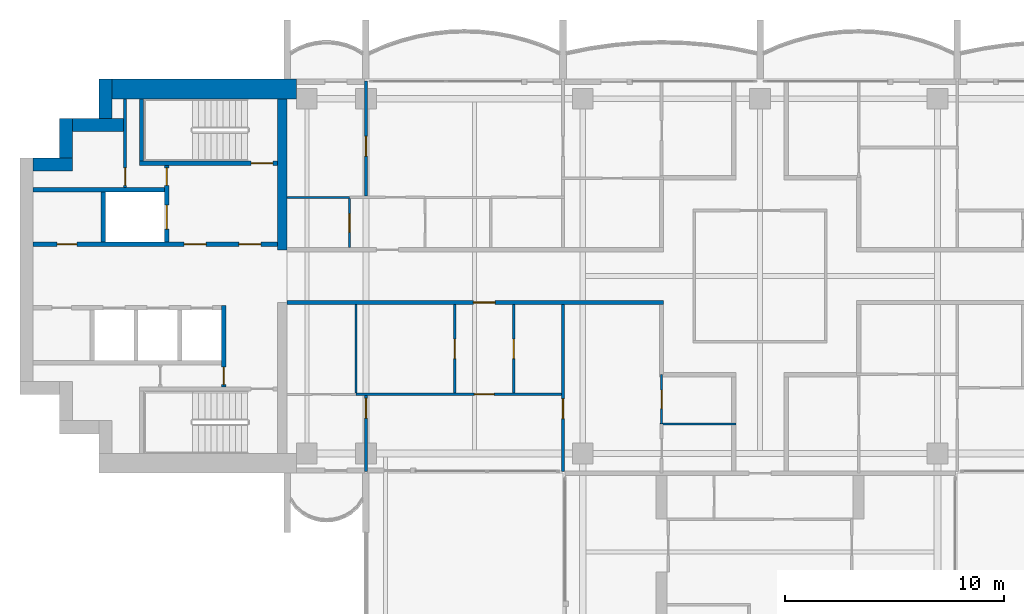
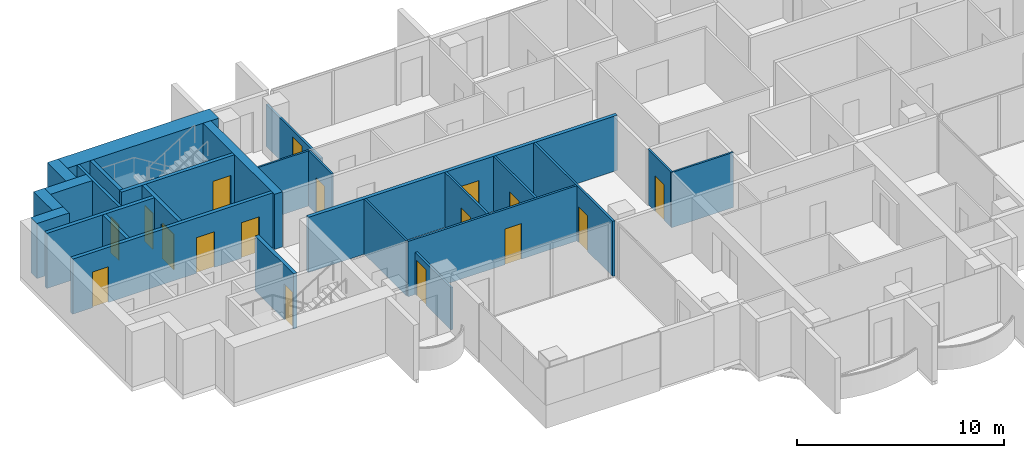
# One storey, part 9 of 17: 26 walls, 17 doors, 17 openings.
"""IFC4 building model written with IfcOpenShell, lengths in metres."""

import ifcopenshell
import ifcopenshell.guid

model = None  # the IFC model being written
_history = None  # IfcOwnerHistory: only IFC2X3 demands one
_inside = {}  # id of a spatial element -> (the spatial element, [elements in it])
_under = {}  # id of a project, library or spatial element -> (it, [spatial elements below it])
_declared = {}  # id of a project -> (the project, [libraries it declares])
_typed = {}  # id of a type object -> (the type object, [elements of that type])
_made_of = {}  # id of a material, layer set ... -> (it, [elements and type objects made of it])


def new_model(schema):
    """Start an empty IFC model of exactly this schema.

    Asked for "IFC4X3", IfcOpenShell would pick the latest addendum, in which some entities
    have other attributes; the version numbers below select the first issue.
    IFC2X3 requires an IfcOwnerHistory on every rooted entity: one is made here for all.
    """
    global model, _history
    if schema == "IFC4X3":
        model = ifcopenshell.file(schema_version=(4, 3, 0, 0))
    else:
        model = ifcopenshell.file(schema=schema)
    _inside.clear()
    _under.clear()
    _declared.clear()
    _typed.clear()
    _made_of.clear()
    _history = None
    if model.schema == "IFC2X3":
        org = make("IfcOrganization", Name="unknown")
        user = make(
            "IfcPersonAndOrganization",
            ThePerson=make("IfcPerson", FamilyName="unknown"),
            TheOrganization=org,
        )
        app = make(
            "IfcApplication",
            ApplicationDeveloper=org,
            Version="unknown",
            ApplicationFullName="unknown",
            ApplicationIdentifier="unknown",
        )
        _history = make(
            "IfcOwnerHistory",
            OwningUser=user,
            OwningApplication=app,
            ChangeAction="ADDED",
            CreationDate=0,
        )
    return model


def make(cls, **values):
    """One entity of the class cls with the attributes given. An attribute that is None is left unset."""
    return model.create_entity(
        cls, **{name: value for name, value in values.items() if value is not None}
    )


def rooted(cls, **values):
    """An entity with a GlobalId (a new one), such as an element, a storey or a relation."""
    return make(cls, GlobalId=ifcopenshell.guid.new(), OwnerHistory=_history, **values)


def si_unit(unit_type, name, prefix=None):
    """IfcSIUnit, for example si_unit("LENGTHUNIT", "METRE", prefix="MILLI")."""
    return make("IfcSIUnit", UnitType=unit_type, Prefix=prefix, Name=name)


def assignment(units):
    """IfcUnitAssignment: the units of a project."""
    return None if units is None else make("IfcUnitAssignment", Units=units)


def point(xyz):
    """IfcCartesianPoint."""
    return None if xyz is None else make("IfcCartesianPoint", Coordinates=xyz)


def direction(xyz):
    """IfcDirection."""
    return None if xyz is None else make("IfcDirection", DirectionRatios=xyz)


def frame(location, z_axis=None, x_axis=None):
    """IfcAxis2Placement3D, a coordinate frame: its origin and axes. An axis left out is left unset."""
    return make(
        "IfcAxis2Placement3D",
        Location=point(location),
        Axis=direction(z_axis),
        RefDirection=direction(x_axis),
    )


def frame_2d(location, x_axis=None):
    """IfcAxis2Placement2D, a coordinate frame in the plane: its origin and x axis."""
    return make(
        "IfcAxis2Placement2D", Location=point(location), RefDirection=direction(x_axis)
    )


def origin():
    """The frame at (0, 0, 0) with its axes left unset."""
    return frame((0.0, 0.0, 0.0))


def place(relative_to, where):
    """IfcLocalPlacement: puts the frame where relative to a parent placement (None: the world)."""
    return make(
        "IfcLocalPlacement", PlacementRelTo=relative_to, RelativePlacement=where
    )


def context(
    kind, dimensions, precision=None, world=None, true_north=None, identifier=None
):
    """IfcGeometricRepresentationContext, for example the 3D "Model" context."""
    return make(
        "IfcGeometricRepresentationContext",
        ContextIdentifier=identifier,
        ContextType=kind,
        CoordinateSpaceDimension=dimensions,
        Precision=precision,
        WorldCoordinateSystem=world,
        TrueNorth=true_north,
    )


def subcontext(parent, identifier, kind, view, scale=None):
    """IfcGeometricRepresentationSubContext, for example "Body" below "Model"."""
    return make(
        "IfcGeometricRepresentationSubContext",
        ContextIdentifier=identifier,
        ContextType=kind,
        ParentContext=parent,
        TargetScale=scale,
        TargetView=view,
    )


def project(units=None, contexts=None):
    """IfcProject with its units and contexts."""
    return rooted(
        "IfcProject",
        Name="project",
        RepresentationContexts=contexts,
        UnitsInContext=assignment(units),
    )


def spatial(cls, under=None, at=None, **own):
    """A site, building, storey or space (cls), placed at a placement, below another one or the project."""
    s = rooted(cls, ObjectPlacement=at, **own)
    if under is not None:
        _under.setdefault(under.id(), (under, []))[1].append(s)
    return s


def profile(cls, at=None, kind="AREA", **sizes):
    """A parametric profile (cls). Its sizes go by their IFC names, for example OverallWidth=200.0."""
    return make(cls, ProfileType=kind, Position=at, **sizes)


def rectangle(**sizes):
    """IfcRectangleProfileDef."""
    return profile("IfcRectangleProfileDef", **sizes)


def extrude(swept, where, along, depth):
    """IfcExtrudedAreaSolid: the profile swept, set in the frame where, extruded along a direction by depth."""
    return make(
        "IfcExtrudedAreaSolid",
        SweptArea=swept,
        Position=where,
        ExtrudedDirection=direction(along),
        Depth=depth,
    )


def shape(context_of_items, identifier, shape_type, items):
    """IfcShapeRepresentation: the items that make up one representation, for example the "Body"."""
    return make(
        "IfcShapeRepresentation",
        ContextOfItems=context_of_items,
        RepresentationIdentifier=identifier,
        RepresentationType=shape_type,
        Items=items,
    )


def material(Name=None, Category=None):
    """IfcMaterial."""
    return make("IfcMaterial", Name=Name, Category=Category)


def layer(
    of_material, thickness, ventilated=None, Name=None, Category=None, Priority=None
):
    """IfcMaterialLayer: one layer of a wall or slab, of a material (None: an air gap)."""
    return make(
        "IfcMaterialLayer",
        Material=of_material,
        LayerThickness=thickness,
        IsVentilated=ventilated,
        Name=Name,
        Category=Category,
        Priority=Priority,
    )


def layer_set(layers, Name=None):
    """IfcMaterialLayerSet."""
    return make("IfcMaterialLayerSet", MaterialLayers=layers, LayerSetName=Name)


def made_of(thing, what):
    """Note that an element or type object is made of a material, layer set ...; save() writes the relation."""
    if what is not None:
        _made_of.setdefault(what.id(), (what, []))[1].append(thing)
    return thing


def type_object(cls, material=None, **own):
    """A type object (cls), such as IfcWallType, which elements share."""
    return made_of(rooted(cls, **own), material)


def element(
    cls,
    number,
    at=None,
    inside=None,
    cuts=None,
    type_object=None,
    material=None,
    context=None,
    identifier="Body",
    shape_type=None,
    held_by="IfcProductDefinitionShape",
    body=None,
    shapes=None,
    **own,
):
    """One element of the class cls, such as IfcWall. Its Tag is "e" and its number.

    at: its placement. inside: the storey or other place that contains it. cuts: it is an
    opening in that element (IfcRelVoidsElement). A single representation is given by context,
    identifier, shape_type and body (its items); several are given by shapes. held_by: the class
    of the entity that holds the representations. save() writes the other relations.
    """
    e = rooted(cls, Tag="e%d" % number, ObjectPlacement=at, **own)
    if body is not None:
        shapes = [shape(context, identifier, shape_type, body)]
    if shapes is not None:
        e.Representation = make(held_by, Representations=shapes)
    if inside is not None:
        _inside.setdefault(inside.id(), (inside, []))[1].append(e)
    if cuts is not None:
        rooted(
            "IfcRelVoidsElement", RelatingBuildingElement=cuts, RelatedOpeningElement=e
        )
    if type_object is not None:
        _typed.setdefault(type_object.id(), (type_object, []))[1].append(e)
    return made_of(e, material)


def fill(opening, filler):
    """IfcRelFillsElement: the door or window that sits in an opening."""
    return rooted(
        "IfcRelFillsElement",
        RelatingOpeningElement=opening,
        RelatedBuildingElement=filler,
    )


def aggregate(whole, parts):
    """IfcRelAggregates: a whole, such as a stair, and the parts it consists of."""
    return rooted("IfcRelAggregates", RelatingObject=whole, RelatedObjects=parts)


def save(model, path):
    """Write the relations noted so far, then the file.

    IfcRelAggregates (storeys below a building ...), IfcRelContainedInSpatialStructure (elements
    in a storey), IfcRelDefinesByType, IfcRelAssociatesMaterial and IfcRelDeclares: one each for
    every whole, place, type object, material and project.
    """
    for whole, parts in _under.values():
        aggregate(whole, parts)
    for where, things in _inside.values():
        rooted(
            "IfcRelContainedInSpatialStructure",
            RelatedElements=things,
            RelatingStructure=where,
        )
    for kind, things in _typed.values():
        rooted("IfcRelDefinesByType", RelatedObjects=things, RelatingType=kind)
    for what, things in _made_of.values():
        rooted("IfcRelAssociatesMaterial", RelatedObjects=things, RelatingMaterial=what)
    for by, libraries in _declared.values():
        rooted("IfcRelDeclares", RelatingContext=by, RelatedDefinitions=libraries)
    model.write(path)


model = new_model("IFC4")

# Units and contexts
model_context = context("Model", 3, precision=1e-05, world=origin(), true_north=direction((0.0, 1.0)))
body_context = subcontext(model_context, "Body", "Model", "MODEL_VIEW")
ifc_project = project(units=[si_unit("LENGTHUNIT", "METRE"), si_unit("AREAUNIT", "SQUARE_METRE"), si_unit("VOLUMEUNIT", "CUBIC_METRE"), si_unit("PLANEANGLEUNIT", "RADIAN"), si_unit("MASSUNIT", "GRAM", prefix="KILO")], contexts=[model_context])

# Site, building, storey
site_placement = place(None, origin())
site = spatial("IfcSite", under=ifc_project, at=site_placement, CompositionType="ELEMENT")
building_placement = place(site_placement, origin())
building = spatial("IfcBuilding", under=site, at=building_placement, Name="Perihelion Cross Residences", CompositionType="ELEMENT")
storey_placement = place(building_placement, frame((0.0, 0.0, 212.10009765625)))
storey = spatial("IfcBuildingStorey", under=building, at=storey_placement, Name="L53", CompositionType="ELEMENT", Elevation=212.10009765625)

# Wall, opening, door
ifc_material_1 = material(Name="Plasterboard partition")
ifc_layer_1 = layer(ifc_material_1, 0.199951171875)
ifc_layer_set_1 = layer_set([ifc_layer_1], Name="Apartment separation wall 200")
wall_type_1 = type_object("IfcWallType", Name="Apartment separation wall 200", PredefinedType="PARTITIONING", material=ifc_layer_set_1)
wall_1_placement = place(storey_placement, frame((-4.39990234375, -1.199951171875, 0.0), z_axis=(0.0, 0.0, 1.0), x_axis=(-1.0, 0.0, 0.0)))
wall_1 = element("IfcWall", 1, at=wall_1_placement, inside=storey, type_object=wall_type_1, Name="Partition L53 W017", PredefinedType="PARTITIONING", context=body_context, shape_type="SweptSolid", body=[
    extrude(rectangle(XDim=17.2001953125, YDim=0.199951171875, at=frame_2d((8.60009765625, 0.0))), origin(), (0.0, 0.0, 1.0), 3.25),
])
opening_1_placement = place(wall_1_placement, frame((7.699951171875, 0.0, 0.0)))
opening_1 = element("IfcOpeningElement", 2, at=opening_1_placement, cuts=wall_1, Name="Opening L53.A44", PredefinedType="OPENING", context=body_context, shape_type="SweptSolid", body=[
    extrude(rectangle(XDim=1.0, YDim=2.10009765625, at=frame_2d((0.5, 1.050048828125))), frame((0.0, 0.10986328125, 0.0), z_axis=(0.0, -1.0, 0.0), x_axis=(1.0, 0.0, 0.0)), (0.0, 0.0, 1.0), 0.219970703125),
])
ifc_material_2 = material(Name="Timber door leaf", Category="wood")
door_type_1 = type_object("IfcDoorType", Name="Flat entrance door 1000 x 2100", OperationType="SINGLE_SWING_LEFT", PredefinedType="DOOR", material=ifc_material_2)
door_1_placement = place(opening_1_placement, origin())
door_1 = element("IfcDoor", 3, at=door_1_placement, inside=storey, type_object=door_type_1, Name="Door L53.A44", OperationType="SINGLE_SWING_LEFT", OverallHeight=2.10009765625, OverallWidth=1.0, PredefinedType="DOOR", context=body_context, shape_type="SweptSolid", body=[
    extrude(rectangle(XDim=1.0, YDim=2.10009765625, at=frame_2d((0.5, 1.050048828125))), frame((0.0, 0.02490234375, 0.0), z_axis=(0.0, -1.0, 0.0), x_axis=(1.0, 0.0, 0.0)), (0.0, 0.0, 1.0), 0.050048828125),
])
fill(opening_1, door_1)

# Walls
ifc_material_3 = material(Name="Concrete C60/75", Category="concrete")
ifc_layer_2 = layer(ifc_material_3, 0.449951171875)
ifc_layer_set_2 = layer_set([ifc_layer_2], Name="Core wall, inner 450")
wall_type_2 = type_object("IfcWallType", Name="Core wall, inner 450", PredefinedType="SHEAR", material=ifc_layer_set_2)
wall_2_placement = place(storey_placement, frame((-21.824951171875, 1.199951171875, 0.0), z_axis=(0.0, 0.0, 1.0), x_axis=(0.0, 1.0, 0.0)))
element("IfcWall", 4, at=wall_2_placement, inside=storey, type_object=wall_type_2, Name="West core core wall, inner", PredefinedType="SHEAR", context=body_context, shape_type="SweptSolid", body=[
    extrude(rectangle(XDim=6.900146484375, YDim=0.449951171875, at=frame_2d((3.4501953125, 0.0))), origin(), (0.0, 0.0, 1.0), 3.25),
])
ifc_material_4 = material(Name="Concrete C60/75", Category="concrete")
ifc_layer_3 = layer(ifc_material_4, 0.60009765625)
ifc_layer_set_3 = layer_set([ifc_layer_3], Name="Core wall, outer 600")
wall_type_3 = type_object("IfcWallType", Name="Core wall, outer 600", PredefinedType="SHEAR", material=ifc_layer_set_3)
for number, where, z_axis, x_axis, name in (
    (5, (-33.199951171875, 5.10009765625, 0.0), (0.0, 0.0, 1.0), (1.0, 0.0, 0.0), "West core core wall, outer"),
    (6, (-31.699951171875, 5.39990234375, 0.0), (0.0, 0.0, 1.0), (0.0, 1.0, 0.0), "West core core wall, outer"),
):
    element("IfcWall", number, at=place(storey_placement, frame(where, z_axis=z_axis, x_axis=x_axis)), inside=storey, type_object=wall_type_3, Name=name, PredefinedType="SHEAR", context=body_context, shape_type="SweptSolid", body=[
        extrude(rectangle(XDim=1.800048828125, YDim=0.60009765625, at=frame_2d((0.89990234375, 0.0))), origin(), (0.0, 0.0, 1.0), 3.25),
    ])
wall_3_placement = place(storey_placement, frame((-31.39990234375, 6.89990234375, 0.0), z_axis=(0.0, 0.0, 1.0), x_axis=(1.0, 0.0, 0.0)))
element("IfcWall", 7, at=wall_3_placement, inside=storey, type_object=wall_type_3, Name="West core core wall, outer", PredefinedType="SHEAR", context=body_context, shape_type="SweptSolid", body=[
    extrude(rectangle(XDim=2.324951171875, YDim=0.60009765625, at=frame_2d((1.16259765625, 0.0))), origin(), (0.0, 0.0, 1.0), 3.25),
])
wall_4_placement = place(storey_placement, frame((-29.89990234375, 7.199951171875, 0.0), z_axis=(0.0, 0.0, 1.0), x_axis=(0.0, 1.0, 0.0)))
element("IfcWall", 8, at=wall_4_placement, inside=storey, type_object=wall_type_3, Name="West core core wall, outer", PredefinedType="SHEAR", context=body_context, shape_type="SweptSolid", body=[
    extrude(rectangle(XDim=1.800048828125, YDim=0.60009765625, at=frame_2d((0.89990234375, 0.0))), origin(), (0.0, 0.0, 1.0), 3.25),
])
ifc_material_5 = material(Name="Concrete C60/75", Category="concrete")
ifc_layer_4 = layer(ifc_material_5, 0.89990234375)
ifc_layer_set_4 = layer_set([ifc_layer_4], Name="Core wall, outer 900")
wall_type_4 = type_object("IfcWallType", Name="Core wall, outer 900", PredefinedType="SHEAR", material=ifc_layer_set_4)
wall_5_placement = place(storey_placement, frame((-29.60009765625, 8.550048828125, 0.0), z_axis=(0.0, 0.0, 1.0), x_axis=(1.0, 0.0, 0.0)))
element("IfcWall", 9, at=wall_5_placement, inside=storey, type_object=wall_type_4, Name="West core core wall, outer", PredefinedType="SHEAR", context=body_context, shape_type="SweptSolid", body=[
    extrude(rectangle(XDim=8.425048828125, YDim=0.89990234375, at=frame_2d((4.21240234375, 0.0))), origin(), (0.0, 0.0, 1.0), 3.25),
])

# Wall, opening, door
ifc_material_6 = material(Name="Concrete C50/60", Category="concrete")
ifc_layer_5 = layer(ifc_material_6, 0.199951171875)
ifc_layer_set_5 = layer_set([ifc_layer_5], Name="Lobby wall 200")
wall_type_5 = type_object("IfcWallType", Name="Lobby wall 200", PredefinedType="SOLIDWALL", material=ifc_layer_set_5)
wall_6_placement = place(storey_placement, frame((-24.5, -5.050048828125, 0.0), z_axis=(0.0, 0.0, 1.0), x_axis=(0.0, 1.0, 0.0)))
wall_6 = element("IfcWall", 10, at=wall_6_placement, inside=storey, type_object=wall_type_5, Name="West core lobby wall", PredefinedType="SOLIDWALL", context=body_context, shape_type="SweptSolid", body=[
    extrude(rectangle(XDim=3.699951171875, YDim=0.199951171875, at=frame_2d((1.85009765625, 0.0))), origin(), (0.0, 0.0, 1.0), 3.25),
])
opening_2_placement = place(wall_6_placement, frame((0.10009765625, 0.0, 0.0)))
opening_2 = element("IfcOpeningElement", 11, at=opening_2_placement, cuts=wall_6, Name="Opening L53.C22", PredefinedType="OPENING", context=body_context, shape_type="SweptSolid", body=[
    extrude(rectangle(XDim=0.800048828125, YDim=2.10009765625, at=frame_2d((0.39990234375, 1.050048828125))), frame((0.0, 0.10986328125, 0.0), z_axis=(0.0, -1.0, 0.0), x_axis=(1.0, 0.0, 0.0)), (0.0, 0.0, 1.0), 0.219970703125),
])
ifc_material_7 = material(Name="Steel, powder coated", Category="steel")
door_type_2 = type_object("IfcDoorType", Name="Riser door 800", OperationType="SINGLE_SWING_LEFT", PredefinedType="DOOR", material=ifc_material_7)
door_2_placement = place(opening_2_placement, origin())
door_2 = element("IfcDoor", 12, at=door_2_placement, inside=storey, type_object=door_type_2, Name="West core riser door", OperationType="SINGLE_SWING_LEFT", OverallHeight=2.10009765625, OverallWidth=0.800048828125, PredefinedType="DOOR", context=body_context, shape_type="SweptSolid", body=[
    extrude(rectangle(XDim=0.800048828125, YDim=2.10009765625, at=frame_2d((0.39990234375, 1.050048828125))), frame((0.0, 0.02490234375, 0.0), z_axis=(0.0, -1.0, 0.0), x_axis=(1.0, 0.0, 0.0)), (0.0, 0.0, 1.0), 0.050048828125),
])
fill(opening_2, door_2)

ifc_material_8 = material(Name="Plasterboard partition")
ifc_layer_6 = layer(ifc_material_8, 0.1201171875)
ifc_layer_set_6 = layer_set([ifc_layer_6], Name="Partition wall 120")
wall_type_6 = type_object("IfcWallType", Name="Partition wall 120", PredefinedType="PARTITIONING", material=ifc_layer_set_6)
wall_7_placement = place(storey_placement, frame((-18.0, 3.659912109375, 0.0), z_axis=(0.0, 0.0, 1.0), x_axis=(0.0, 1.0, 0.0)))
wall_7 = element("IfcWall", 13, at=wall_7_placement, inside=storey, type_object=wall_type_6, Name="Partition L53 W050", PredefinedType="PARTITIONING", context=body_context, shape_type="SweptSolid", body=[
    extrude(rectangle(XDim=5.260009765625, YDim=0.1201171875, at=frame_2d((2.6298828125, 0.0))), origin(), (0.0, 0.0, 1.0), 2.47998046875),
])
opening_3_placement = place(wall_7_placement, frame((1.820068359375, 0.0, 0.0)))
opening_3 = element("IfcOpeningElement", 14, at=opening_3_placement, cuts=wall_7, Name="Opening L53.A20", PredefinedType="OPENING", context=body_context, shape_type="SweptSolid", body=[
    extrude(rectangle(XDim=0.89990234375, YDim=2.10009765625, at=frame_2d((0.449951171875, 1.050048828125))), frame((0.0, 0.070068359375, 0.0), z_axis=(0.0, -1.0, 0.0), x_axis=(1.0, 0.0, 0.0)), (0.0, 0.0, 1.0), 0.14013671875),
])
ifc_material_9 = material(Name="Timber door leaf", Category="wood")
door_type_3 = type_object("IfcDoorType", Name="Interior room door 900 x 2100", OperationType="SINGLE_SWING_LEFT", PredefinedType="DOOR", material=ifc_material_9)
door_3_placement = place(opening_3_placement, origin())
door_3 = element("IfcDoor", 15, at=door_3_placement, inside=storey, type_object=door_type_3, Name="Door L53.A20", OperationType="SINGLE_SWING_RIGHT", OverallHeight=2.10009765625, OverallWidth=0.89990234375, PredefinedType="DOOR", context=body_context, shape_type="SweptSolid", body=[
    extrude(rectangle(XDim=0.89990234375, YDim=2.10009765625, at=frame_2d((0.449951171875, 1.050048828125))), frame((0.0, 0.02490234375, 0.0), z_axis=(0.0, -1.0, 0.0), x_axis=(1.0, 0.0, 0.0)), (0.0, 0.0, 1.0), 0.050048828125),
])
fill(opening_3, door_3)

wall_8_placement = place(storey_placement, frame((-11.25, -5.340087890625, 0.0), z_axis=(0.0, 0.0, 1.0), x_axis=(0.0, 1.0, 0.0)))
wall_8 = element("IfcWall", 16, at=wall_8_placement, inside=storey, type_object=wall_type_6, Name="Partition L53 W053", PredefinedType="PARTITIONING", context=body_context, shape_type="SweptSolid", body=[
    extrude(rectangle(XDim=4.0400390625, YDim=0.1201171875, at=frame_2d((2.02001953125, 0.0))), origin(), (0.0, 0.0, 1.0), 3.25),
])
opening_4_placement = place(wall_8_placement, frame((1.570068359375, 0.0, 0.0)))
opening_4 = element("IfcOpeningElement", 17, at=opening_4_placement, cuts=wall_8, Name="Opening L53.A32", PredefinedType="OPENING", context=body_context, shape_type="SweptSolid", body=[
    extrude(rectangle(XDim=0.89990234375, YDim=2.10009765625, at=frame_2d((0.449951171875, 1.050048828125))), frame((0.0, 0.070068359375, 0.0), z_axis=(0.0, -1.0, 0.0), x_axis=(1.0, 0.0, 0.0)), (0.0, 0.0, 1.0), 0.14013671875),
])
door_4_placement = place(opening_4_placement, origin())
door_4 = element("IfcDoor", 18, at=door_4_placement, inside=storey, type_object=door_type_3, Name="Door L53.A32", OperationType="SINGLE_SWING_LEFT", OverallHeight=2.10009765625, OverallWidth=0.89990234375, PredefinedType="DOOR", context=body_context, shape_type="SweptSolid", body=[
    extrude(rectangle(XDim=0.89990234375, YDim=2.10009765625, at=frame_2d((0.449951171875, 1.050048828125))), frame((0.0, 0.02490234375, 0.0), z_axis=(0.0, -1.0, 0.0), x_axis=(1.0, 0.0, 0.0)), (0.0, 0.0, 1.0), 0.050048828125),
])
fill(opening_4, door_4)

wall_9_placement = place(storey_placement, frame((-8.93994140625, -5.39990234375, 0.0), z_axis=(0.0, 0.0, 1.0), x_axis=(-1.0, 0.0, 0.0)))
wall_9 = element("IfcWall", 19, at=wall_9_placement, inside=storey, type_object=wall_type_6, Name="Partition L53 W054", PredefinedType="PARTITIONING", context=body_context, shape_type="SweptSolid", body=[
    extrude(rectangle(XDim=9.510009765625, YDim=0.1201171875, at=frame_2d((4.7548828125, 0.0))), origin(), (0.0, 0.0, 1.0), 3.25),
])
opening_5_placement = place(wall_9_placement, frame((3.2099609375, 0.0, 0.0)))
opening_5 = element("IfcOpeningElement", 20, at=opening_5_placement, cuts=wall_9, Name="Opening L53.A29", PredefinedType="OPENING", context=body_context, shape_type="SweptSolid", body=[
    extrude(rectangle(XDim=0.89990234375, YDim=2.10009765625, at=frame_2d((0.449951171875, 1.050048828125))), frame((0.0, 0.070068359375, 0.0), z_axis=(0.0, -1.0, 0.0), x_axis=(1.0, 0.0, 0.0)), (0.0, 0.0, 1.0), 0.14013671875),
])
door_5_placement = place(opening_5_placement, origin())
door_5 = element("IfcDoor", 21, at=door_5_placement, inside=storey, type_object=door_type_3, Name="Door L53.A29", OperationType="SINGLE_SWING_LEFT", OverallHeight=2.10009765625, OverallWidth=0.89990234375, PredefinedType="DOOR", context=body_context, shape_type="SweptSolid", body=[
    extrude(rectangle(XDim=0.89990234375, YDim=2.10009765625, at=frame_2d((0.449951171875, 1.050048828125))), frame((0.0, 0.02490234375, 0.0), z_axis=(0.0, -1.0, 0.0), x_axis=(1.0, 0.0, 0.0)), (0.0, 0.0, 1.0), 0.050048828125),
])
fill(opening_5, door_5)

wall_10_placement = place(storey_placement, frame((-9.0, -1.300048828125, 0.0), z_axis=(0.0, 0.0, 1.0), x_axis=(0.0, -1.0, 0.0)))
wall_10 = element("IfcWall", 22, at=wall_10_placement, inside=storey, type_object=wall_type_6, Name="Partition L53 W055", PredefinedType="PARTITIONING", context=body_context, shape_type="SweptSolid", body=[
    extrude(rectangle(XDim=7.619873046875, YDim=0.1201171875, at=frame_2d((3.81005859375, 0.0))), origin(), (0.0, 0.0, 1.0), 3.25),
])
opening_6_placement = place(wall_10_placement, frame((4.300048828125, 0.0, 0.0)))
opening_6 = element("IfcOpeningElement", 23, at=opening_6_placement, cuts=wall_10, Name="Opening L53.A30", PredefinedType="OPENING", context=body_context, shape_type="SweptSolid", body=[
    extrude(rectangle(XDim=0.89990234375, YDim=2.10009765625, at=frame_2d((0.449951171875, 1.050048828125))), frame((0.0, 0.070068359375, 0.0), z_axis=(0.0, -1.0, 0.0), x_axis=(1.0, 0.0, 0.0)), (0.0, 0.0, 1.0), 0.14013671875),
])
door_6_placement = place(opening_6_placement, origin())
door_6 = element("IfcDoor", 24, at=door_6_placement, inside=storey, type_object=door_type_3, Name="Door L53.A30", OperationType="SINGLE_SWING_RIGHT", OverallHeight=2.10009765625, OverallWidth=0.89990234375, PredefinedType="DOOR", context=body_context, shape_type="SweptSolid", body=[
    extrude(rectangle(XDim=0.89990234375, YDim=2.10009765625, at=frame_2d((0.449951171875, 1.050048828125))), frame((0.0, 0.02490234375, 0.0), z_axis=(0.0, -1.0, 0.0), x_axis=(1.0, 0.0, 0.0)), (0.0, 0.0, 1.0), 0.050048828125),
])
fill(opening_6, door_6)

wall_11_placement = place(storey_placement, frame((-13.949951171875, -5.340087890625, 0.0), z_axis=(0.0, 0.0, 1.0), x_axis=(0.0, 1.0, 0.0)))
wall_11 = element("IfcWall", 25, at=wall_11_placement, inside=storey, type_object=wall_type_6, Name="Partition L53 W056", PredefinedType="PARTITIONING", context=body_context, shape_type="SweptSolid", body=[
    extrude(rectangle(XDim=4.0400390625, YDim=0.1201171875, at=frame_2d((2.02001953125, 0.0))), origin(), (0.0, 0.0, 1.0), 3.25),
])
opening_7_placement = place(wall_11_placement, frame((1.570068359375, 0.0, 0.0)))
opening_7 = element("IfcOpeningElement", 26, at=opening_7_placement, cuts=wall_11, Name="Opening L53.A27", PredefinedType="OPENING", context=body_context, shape_type="SweptSolid", body=[
    extrude(rectangle(XDim=0.89990234375, YDim=2.10009765625, at=frame_2d((0.449951171875, 1.050048828125))), frame((0.0, 0.070068359375, 0.0), z_axis=(0.0, -1.0, 0.0), x_axis=(1.0, 0.0, 0.0)), (0.0, 0.0, 1.0), 0.14013671875),
])
door_7_placement = place(opening_7_placement, origin())
door_7 = element("IfcDoor", 27, at=door_7_placement, inside=storey, type_object=door_type_3, Name="Door L53.A27", OperationType="SINGLE_SWING_LEFT", OverallHeight=2.10009765625, OverallWidth=0.89990234375, PredefinedType="DOOR", context=body_context, shape_type="SweptSolid", body=[
    extrude(rectangle(XDim=0.89990234375, YDim=2.10009765625, at=frame_2d((0.449951171875, 1.050048828125))), frame((0.0, 0.02490234375, 0.0), z_axis=(0.0, -1.0, 0.0), x_axis=(1.0, 0.0, 0.0)), (0.0, 0.0, 1.0), 0.050048828125),
])
fill(opening_7, door_7)

wall_12_placement = place(storey_placement, frame((-18.0, -8.919921875, 0.0), z_axis=(0.0, 0.0, 1.0), x_axis=(0.0, 1.0, 0.0)))
wall_12 = element("IfcWall", 28, at=wall_12_placement, inside=storey, type_object=wall_type_6, Name="Partition L53 W059", PredefinedType="PARTITIONING", context=body_context, shape_type="SweptSolid", body=[
    extrude(rectangle(XDim=3.4599609375, YDim=0.1201171875, at=frame_2d((1.72998046875, 0.0))), origin(), (0.0, 0.0, 1.0), 2.47998046875),
])
opening_8_placement = place(wall_12_placement, frame((2.43994140625, 0.0, 0.0)))
opening_8 = element("IfcOpeningElement", 29, at=opening_8_placement, cuts=wall_12, Name="Opening L53.A31", PredefinedType="OPENING", context=body_context, shape_type="SweptSolid", body=[
    extrude(rectangle(XDim=0.89990234375, YDim=2.10009765625, at=frame_2d((0.449951171875, 1.050048828125))), frame((0.0, 0.070068359375, 0.0), z_axis=(0.0, -1.0, 0.0), x_axis=(1.0, 0.0, 0.0)), (0.0, 0.0, 1.0), 0.14013671875),
])
door_8_placement = place(opening_8_placement, origin())
door_8 = element("IfcDoor", 30, at=door_8_placement, inside=storey, type_object=door_type_3, Name="Door L53.A31", OperationType="SINGLE_SWING_RIGHT", OverallHeight=2.10009765625, OverallWidth=0.89990234375, PredefinedType="DOOR", context=body_context, shape_type="SweptSolid", body=[
    extrude(rectangle(XDim=0.89990234375, YDim=2.10009765625, at=frame_2d((0.449951171875, 1.050048828125))), frame((0.0, 0.02490234375, 0.0), z_axis=(0.0, -1.0, 0.0), x_axis=(1.0, 0.0, 0.0)), (0.0, 0.0, 1.0), 0.050048828125),
])
fill(opening_8, door_8)

ifc_material_10 = material(Name="Fire-rated board on steel stud", Category="steel")
ifc_layer_7 = layer(ifc_material_10, 0.14990234375)
ifc_layer_set_7 = layer_set([ifc_layer_7], Name="Riser wall 150")
wall_type_7 = type_object("IfcWallType", Name="Riser wall 150", PredefinedType="PARTITIONING", material=ifc_layer_set_7)
wall_13_placement = place(storey_placement, frame((-29.0, 4.050048828125, 0.0), z_axis=(0.0, 0.0, 1.0), x_axis=(0.0, 1.0, 0.0)))
wall_13 = element("IfcWall", 31, at=wall_13_placement, inside=storey, type_object=wall_type_7, Name="West core riser wall", PredefinedType="PARTITIONING", context=body_context, shape_type="SweptSolid", body=[
    extrude(rectangle(XDim=4.050048828125, YDim=0.14990234375, at=frame_2d((2.02490234375, 0.0))), origin(), (0.0, 0.0, 1.0), 3.25),
])
opening_9_placement = place(wall_13_placement, frame((0.10009765625, 0.0, 0.0)))
opening_9 = element("IfcOpeningElement", 32, at=opening_9_placement, cuts=wall_13, Name="Opening L53.C26", PredefinedType="OPENING", context=body_context, shape_type="SweptSolid", body=[
    extrude(rectangle(XDim=0.800048828125, YDim=2.10009765625, at=frame_2d((0.39990234375, 1.050048828125))), frame((0.0, 0.0849609375, 0.0), z_axis=(0.0, -1.0, 0.0), x_axis=(1.0, 0.0, 0.0)), (0.0, 0.0, 1.0), 0.169921875),
])
door_9_placement = place(opening_9_placement, origin())
door_9 = element("IfcDoor", 33, at=door_9_placement, inside=storey, type_object=door_type_2, Name="West core riser door", OperationType="SINGLE_SWING_LEFT", OverallHeight=2.10009765625, OverallWidth=0.800048828125, PredefinedType="DOOR", context=body_context, shape_type="SweptSolid", body=[
    extrude(rectangle(XDim=0.800048828125, YDim=2.10009765625, at=frame_2d((0.39990234375, 1.050048828125))), frame((0.0, 0.02490234375, 0.0), z_axis=(0.0, -1.0, 0.0), x_axis=(1.0, 0.0, 0.0)), (0.0, 0.0, 1.0), 0.050048828125),
])
fill(opening_9, door_9)

# Wall, openings, doors
ifc_material_11 = material(Name="Concrete C50/60", Category="concrete")
ifc_layer_8 = layer(ifc_material_11, 0.199951171875)
ifc_layer_set_8 = layer_set([ifc_layer_8], Name="Shaft wall 200")
wall_type_8 = type_object("IfcWallType", Name="Shaft wall 200", PredefinedType="SOLIDWALL", material=ifc_layer_set_8)
wall_14_placement = place(storey_placement, frame((-33.199951171875, 1.449951171875, 0.0), z_axis=(0.0, 0.0, 1.0), x_axis=(1.0, 0.0, 0.0)))
wall_14 = element("IfcWall", 34, at=wall_14_placement, inside=storey, type_object=wall_type_8, Name="West core shaft wall", PredefinedType="SOLIDWALL", context=body_context, shape_type="SweptSolid", body=[
    extrude(rectangle(XDim=11.14990234375, YDim=0.199951171875, at=frame_2d((5.574951171875, 0.0))), origin(), (0.0, 0.0, 1.0), 3.25),
])
opening_10_placement = place(wall_14_placement, frame((9.39990234375, 0.0, 0.0)))
opening_10 = element("IfcOpeningElement", 35, at=opening_10_placement, cuts=wall_14, Name="Opening L53.C21", PredefinedType="OPENING", context=body_context, shape_type="SweptSolid", body=[
    extrude(rectangle(XDim=1.0, YDim=2.10009765625, at=frame_2d((0.5, 1.050048828125))), frame((0.0, 0.10986328125, 0.0), z_axis=(0.0, -1.0, 0.0), x_axis=(1.0, 0.0, 0.0)), (0.0, 0.0, 1.0), 0.219970703125),
])
opening_11_placement = place(wall_14_placement, frame((6.89990234375, 0.0, 0.0)))
opening_11 = element("IfcOpeningElement", 36, at=opening_11_placement, cuts=wall_14, Name="Opening L53.C23", PredefinedType="OPENING", context=body_context, shape_type="SweptSolid", body=[
    extrude(rectangle(XDim=1.0, YDim=2.10009765625, at=frame_2d((0.5, 1.050048828125))), frame((0.0, 0.10986328125, 0.0), z_axis=(0.0, -1.0, 0.0), x_axis=(1.0, 0.0, 0.0)), (0.0, 0.0, 1.0), 0.219970703125),
])
opening_12_placement = place(wall_14_placement, frame((1.10009765625, 0.0, 0.0)))
opening_12 = element("IfcOpeningElement", 37, at=opening_12_placement, cuts=wall_14, Name="Opening L53.C27", PredefinedType="OPENING", context=body_context, shape_type="SweptSolid", body=[
    extrude(rectangle(XDim=0.89990234375, YDim=2.10009765625, at=frame_2d((0.449951171875, 1.050048828125))), frame((0.0, 0.10986328125, 0.0), z_axis=(0.0, -1.0, 0.0), x_axis=(1.0, 0.0, 0.0)), (0.0, 0.0, 1.0), 0.219970703125),
])
ifc_material_12 = material(Name="Steel, powder coated", Category="steel")
door_type_4 = type_object("IfcDoorType", Name="Lobby door 1000", OperationType="SINGLE_SWING_LEFT", PredefinedType="DOOR", material=ifc_material_12)
door_10_placement = place(opening_10_placement, origin())
door_10 = element("IfcDoor", 38, at=door_10_placement, inside=storey, type_object=door_type_4, Name="West core firefighting lobby door", OperationType="SINGLE_SWING_LEFT", OverallHeight=2.10009765625, OverallWidth=1.0, PredefinedType="DOOR", context=body_context, shape_type="SweptSolid", body=[
    extrude(rectangle(XDim=1.0, YDim=2.10009765625, at=frame_2d((0.5, 1.050048828125))), frame((0.0, 0.02490234375, 0.0), z_axis=(0.0, -1.0, 0.0), x_axis=(1.0, 0.0, 0.0)), (0.0, 0.0, 1.0), 0.050048828125),
])
fill(opening_10, door_10)
door_11_placement = place(opening_11_placement, origin())
door_11 = element("IfcDoor", 39, at=door_11_placement, inside=storey, type_object=door_type_4, Name="West core firefighting lobby door", OperationType="SINGLE_SWING_LEFT", OverallHeight=2.10009765625, OverallWidth=1.0, PredefinedType="DOOR", context=body_context, shape_type="SweptSolid", body=[
    extrude(rectangle(XDim=1.0, YDim=2.10009765625, at=frame_2d((0.5, 1.050048828125))), frame((0.0, 0.02490234375, 0.0), z_axis=(0.0, -1.0, 0.0), x_axis=(1.0, 0.0, 0.0)), (0.0, 0.0, 1.0), 0.050048828125),
])
fill(opening_11, door_11)
ifc_material_13 = material(Name="Steel, powder coated", Category="steel")
door_type_5 = type_object("IfcDoorType", Name="Service room door 900", OperationType="SINGLE_SWING_LEFT", PredefinedType="DOOR", material=ifc_material_13)
door_12_placement = place(opening_12_placement, origin())
door_12 = element("IfcDoor", 40, at=door_12_placement, inside=storey, type_object=door_type_5, Name="West core service room door", OperationType="SINGLE_SWING_LEFT", OverallHeight=2.10009765625, OverallWidth=0.89990234375, PredefinedType="DOOR", context=body_context, shape_type="SweptSolid", body=[
    extrude(rectangle(XDim=0.89990234375, YDim=2.10009765625, at=frame_2d((0.449951171875, 1.050048828125))), frame((0.0, 0.02490234375, 0.0), z_axis=(0.0, -1.0, 0.0), x_axis=(1.0, 0.0, 0.0)), (0.0, 0.0, 1.0), 0.050048828125),
])
fill(opening_12, door_12)

# Wall
wall_15_placement = place(storey_placement, frame((-33.199951171875, 3.949951171875, 0.0), z_axis=(0.0, 0.0, 1.0), x_axis=(1.0, 0.0, 0.0)))
element("IfcWall", 41, at=wall_15_placement, inside=storey, type_object=wall_type_8, Name="West core shaft wall", PredefinedType="SOLIDWALL", context=body_context, shape_type="SweptSolid", body=[
    extrude(rectangle(XDim=6.0, YDim=0.199951171875, at=frame_2d((3.0, 0.0))), origin(), (0.0, 0.0, 1.0), 3.25),
])

# Wall, openings, doors
wall_16_placement = place(storey_placement, frame((-27.10009765625, 1.550048828125, 0.0), z_axis=(0.0, 0.0, 1.0), x_axis=(0.0, 1.0, 0.0)))
wall_16 = element("IfcWall", 42, at=wall_16_placement, inside=storey, type_object=wall_type_8, Name="West core shaft wall", PredefinedType="SOLIDWALL", context=body_context, shape_type="SweptSolid", body=[
    extrude(rectangle(XDim=3.5, YDim=0.199951171875, at=frame_2d((1.75, 0.0))), origin(), (0.0, 0.0, 1.0), 3.25),
])
opening_13_placement = place(wall_16_placement, frame((0.60009765625, 0.0, 0.0)))
opening_13 = element("IfcOpeningElement", 43, at=opening_13_placement, cuts=wall_16, Name="Opening L53.C16", PredefinedType="OPENING", context=body_context, shape_type="SweptSolid", body=[
    extrude(rectangle(XDim=1.10009765625, YDim=2.10009765625, at=frame_2d((0.550048828125, 1.050048828125))), frame((0.0, 0.10986328125, 0.0), z_axis=(0.0, -1.0, 0.0), x_axis=(1.0, 0.0, 0.0)), (0.0, 0.0, 1.0), 0.219970703125),
])
opening_14_placement = place(wall_16_placement, frame((2.60009765625, 0.0, 0.0)))
opening_14 = element("IfcOpeningElement", 44, at=opening_14_placement, cuts=wall_16, Name="Opening L53.C24", PredefinedType="OPENING", context=body_context, shape_type="SweptSolid", body=[
    extrude(rectangle(XDim=0.800048828125, YDim=2.10009765625, at=frame_2d((0.39990234375, 1.050048828125))), frame((0.0, 0.10986328125, 0.0), z_axis=(0.0, -1.0, 0.0), x_axis=(1.0, 0.0, 0.0)), (0.0, 0.0, 1.0), 0.219970703125),
])
ifc_material_14 = material(Name="Stainless steel", Category="steel")
door_type_6 = type_object("IfcDoorType", Name="Landing door, firefighting lift 1100", OperationType="DOUBLE_DOOR_SLIDING", PredefinedType="DOOR", material=ifc_material_14)
door_13_placement = place(opening_13_placement, origin())
door_13 = element("IfcDoor", 45, at=door_13_placement, inside=storey, type_object=door_type_6, Name="Landing door, West core firefighting and service lift", OperationType="DOUBLE_DOOR_SLIDING", OverallHeight=2.10009765625, OverallWidth=1.10009765625, PredefinedType="DOOR", context=body_context, shape_type="SweptSolid", body=[
    extrude(rectangle(XDim=1.10009765625, YDim=2.10009765625, at=frame_2d((0.550048828125, 1.050048828125))), frame((0.0, 0.02490234375, 0.0), z_axis=(0.0, -1.0, 0.0), x_axis=(1.0, 0.0, 0.0)), (0.0, 0.0, 1.0), 0.050048828125),
])
fill(opening_13, door_13)
door_14_placement = place(opening_14_placement, origin())
door_14 = element("IfcDoor", 46, at=door_14_placement, inside=storey, type_object=door_type_2, Name="West core riser door", OperationType="SINGLE_SWING_LEFT", OverallHeight=2.10009765625, OverallWidth=0.800048828125, PredefinedType="DOOR", context=body_context, shape_type="SweptSolid", body=[
    extrude(rectangle(XDim=0.800048828125, YDim=2.10009765625, at=frame_2d((0.39990234375, 1.050048828125))), frame((0.0, 0.02490234375, 0.0), z_axis=(0.0, -1.0, 0.0), x_axis=(1.0, 0.0, 0.0)), (0.0, 0.0, 1.0), 0.050048828125),
])
fill(opening_14, door_14)

# Wall
wall_17_placement = place(storey_placement, frame((-30.0, 1.550048828125, 0.0), z_axis=(0.0, 0.0, 1.0), x_axis=(0.0, 1.0, 0.0)))
element("IfcWall", 47, at=wall_17_placement, inside=storey, type_object=wall_type_8, Name="West core shaft wall", PredefinedType="SOLIDWALL", context=body_context, shape_type="SweptSolid", body=[
    extrude(rectangle(XDim=2.300048828125, YDim=0.199951171875, at=frame_2d((1.14990234375, 0.0))), origin(), (0.0, 0.0, 1.0), 3.25),
])

# Wall, opening, door
ifc_material_15 = material(Name="Concrete C50/60", Category="concrete")
ifc_layer_9 = layer(ifc_material_15, 0.199951171875)
ifc_layer_set_9 = layer_set([ifc_layer_9], Name="Stair wall 200")
wall_type_9 = type_object("IfcWallType", Name="Stair wall 200", PredefinedType="SOLIDWALL", material=ifc_layer_set_9)
wall_18_placement = place(storey_placement, frame((-28.35009765625, 5.14990234375, 0.0), z_axis=(0.0, 0.0, 1.0), x_axis=(1.0, 0.0, 0.0)))
wall_18 = element("IfcWall", 48, at=wall_18_placement, inside=storey, type_object=wall_type_9, Name="West core stair wall", PredefinedType="SOLIDWALL", context=body_context, shape_type="SweptSolid", body=[
    extrude(rectangle(XDim=6.300048828125, YDim=0.199951171875, at=frame_2d((3.14990234375, 0.0))), origin(), (0.0, 0.0, 1.0), 3.25),
])
opening_15_placement = place(wall_18_placement, frame((5.10009765625, 0.0, 0.0)))
opening_15 = element("IfcOpeningElement", 49, at=opening_15_placement, cuts=wall_18, Name="Opening L53.C20", PredefinedType="OPENING", context=body_context, shape_type="SweptSolid", body=[
    extrude(rectangle(XDim=1.0, YDim=2.10009765625, at=frame_2d((0.5, 1.050048828125))), frame((0.0, 0.10986328125, 0.0), z_axis=(0.0, -1.0, 0.0), x_axis=(1.0, 0.0, 0.0)), (0.0, 0.0, 1.0), 0.219970703125),
])
ifc_material_16 = material(Name="Steel, powder coated", Category="steel")
door_type_7 = type_object("IfcDoorType", Name="Stair door 1000", OperationType="SINGLE_SWING_LEFT", PredefinedType="DOOR", material=ifc_material_16)
door_15_placement = place(opening_15_placement, origin())
door_15 = element("IfcDoor", 50, at=door_15_placement, inside=storey, type_object=door_type_7, Name="West core stair door", OperationType="SINGLE_SWING_LEFT", OverallHeight=2.10009765625, OverallWidth=1.0, PredefinedType="DOOR", context=body_context, shape_type="SweptSolid", body=[
    extrude(rectangle(XDim=1.0, YDim=2.10009765625, at=frame_2d((0.5, 1.050048828125))), frame((0.0, 0.02490234375, 0.0), z_axis=(0.0, -1.0, 0.0), x_axis=(1.0, 0.0, 0.0)), (0.0, 0.0, 1.0), 0.050048828125),
])
fill(opening_15, door_15)

# Wall
wall_19_placement = place(storey_placement, frame((-28.25, 5.25, 0.0), z_axis=(0.0, 0.0, 1.0), x_axis=(0.0, 1.0, 0.0)))
element("IfcWall", 51, at=wall_19_placement, inside=storey, type_object=wall_type_9, Name="West core stair wall", PredefinedType="SOLIDWALL", context=body_context, shape_type="SweptSolid", body=[
    extrude(rectangle(XDim=2.85009765625, YDim=0.199951171875, at=frame_2d((1.425048828125, 0.0))), origin(), (0.0, 0.0, 1.0), 3.25),
])

# Wall, opening, door
ifc_material_17 = material(Name="Plasterboard partition")
ifc_layer_10 = layer(ifc_material_17, 0.10009765625)
ifc_layer_set_10 = layer_set([ifc_layer_10], Name="Wet room wall 100")
wall_type_10 = type_object("IfcWallType", Name="Wet room wall 100", PredefinedType="PARTITIONING", material=ifc_layer_set_10)
wall_20_placement = place(storey_placement, frame((-18.75, 1.300048828125, 0.0), z_axis=(0.0, 0.0, 1.0), x_axis=(0.0, 1.0, 0.0)))
wall_20 = element("IfcWall", 52, at=wall_20_placement, inside=storey, type_object=wall_type_10, Name="Partition L53 W047", PredefinedType="PARTITIONING", context=body_context, shape_type="SweptSolid", body=[
    extrude(rectangle(XDim=2.239990234375, YDim=0.10009765625, at=frame_2d((1.1201171875, 0.0))), origin(), (0.0, 0.0, 1.0), 3.25),
])
opening_16_placement = place(wall_20_placement, frame((0.695068359375, 0.0, 0.0)))
opening_16 = element("IfcOpeningElement", 53, at=opening_16_placement, cuts=wall_20, Name="Opening L53.A19", PredefinedType="OPENING", context=body_context, shape_type="SweptSolid", body=[
    extrude(rectangle(XDim=0.85009765625, YDim=2.10009765625, at=frame_2d((0.425048828125, 1.050048828125))), frame((0.0, 0.06005859375, 0.0), z_axis=(0.0, -1.0, 0.0), x_axis=(1.0, 0.0, 0.0)), (0.0, 0.0, 1.0), 0.1201171875),
])
ifc_material_18 = material(Name="Timber door leaf", Category="wood")
door_type_8 = type_object("IfcDoorType", Name="Interior bathroom door 850 x 2100", OperationType="SINGLE_SWING_LEFT", PredefinedType="DOOR", material=ifc_material_18)
door_16_placement = place(opening_16_placement, origin())
door_16 = element("IfcDoor", 54, at=door_16_placement, inside=storey, type_object=door_type_8, Name="Door L53.A19", OperationType="SINGLE_SWING_LEFT", OverallHeight=2.10009765625, OverallWidth=0.85009765625, PredefinedType="DOOR", context=body_context, shape_type="SweptSolid", body=[
    extrude(rectangle(XDim=0.85009765625, YDim=2.10009765625, at=frame_2d((0.425048828125, 1.050048828125))), frame((0.0, 0.02490234375, 0.0), z_axis=(0.0, -1.0, 0.0), x_axis=(1.0, 0.0, 0.0)), (0.0, 0.0, 1.0), 0.050048828125),
])
fill(opening_16, door_16)

# Walls
wall_21_placement = place(storey_placement, frame((-21.60009765625, 3.60009765625, 0.0), z_axis=(0.0, 0.0, 1.0), x_axis=(1.0, 0.0, 0.0)))
element("IfcWall", 55, at=wall_21_placement, inside=storey, type_object=wall_type_10, Name="Partition L53 W049", PredefinedType="PARTITIONING", context=body_context, shape_type="SweptSolid", body=[
    extrude(rectangle(XDim=2.85009765625, YDim=0.10009765625, at=frame_2d((1.425048828125, 0.0))), origin(), (0.0, 0.0, 1.0), 3.25),
])
wall_22_placement = place(storey_placement, frame((-18.449951171875, -5.340087890625, 0.0), z_axis=(0.0, 0.0, 1.0), x_axis=(0.0, 1.0, 0.0)))
element("IfcWall", 56, at=wall_22_placement, inside=storey, type_object=wall_type_10, Name="Partition L53 W057", PredefinedType="PARTITIONING", context=body_context, shape_type="SweptSolid", body=[
    extrude(rectangle(XDim=4.0400390625, YDim=0.10009765625, at=frame_2d((2.02001953125, 0.0))), origin(), (0.0, 0.0, 1.0), 3.25),
])

# Wall, opening, door
wall_23_placement = place(storey_placement, frame((-4.5, -4.5, 0.0), z_axis=(0.0, 0.0, 1.0), x_axis=(0.0, -1.0, 0.0)))
wall_23 = element("IfcWall", 57, at=wall_23_placement, inside=storey, type_object=wall_type_10, Name="Partition L53 W060", PredefinedType="PARTITIONING", context=body_context, shape_type="SweptSolid", body=[
    extrude(rectangle(XDim=2.25, YDim=0.10009765625, at=frame_2d((1.125, 0.0))), origin(), (0.0, 0.0, 1.0), 3.25),
])
opening_17_placement = place(wall_23_placement, frame((0.699951171875, 0.0, 0.0)))
opening_17 = element("IfcOpeningElement", 58, at=opening_17_placement, cuts=wall_23, Name="Opening L53.A33", PredefinedType="OPENING", context=body_context, shape_type="SweptSolid", body=[
    extrude(rectangle(XDim=0.85009765625, YDim=2.10009765625, at=frame_2d((0.425048828125, 1.050048828125))), frame((0.0, 0.06005859375, 0.0), z_axis=(0.0, -1.0, 0.0), x_axis=(1.0, 0.0, 0.0)), (0.0, 0.0, 1.0), 0.1201171875),
])
door_17_placement = place(opening_17_placement, origin())
door_17 = element("IfcDoor", 59, at=door_17_placement, inside=storey, type_object=door_type_8, Name="Door L53.A33", OperationType="SINGLE_SWING_LEFT", OverallHeight=2.10009765625, OverallWidth=0.85009765625, PredefinedType="DOOR", context=body_context, shape_type="SweptSolid", body=[
    extrude(rectangle(XDim=0.85009765625, YDim=2.10009765625, at=frame_2d((0.425048828125, 1.050048828125))), frame((0.0, 0.02490234375, 0.0), z_axis=(0.0, -1.0, 0.0), x_axis=(1.0, 0.0, 0.0)), (0.0, 0.0, 1.0), 0.050048828125),
])
fill(opening_17, door_17)

# Wall
wall_24_placement = place(storey_placement, frame((-1.10009765625, -6.75, 0.0), z_axis=(0.0, 0.0, 1.0), x_axis=(-1.0, 0.0, 0.0)))
element("IfcWall", 60, at=wall_24_placement, inside=storey, type_object=wall_type_10, Name="Partition L53 W062", PredefinedType="PARTITIONING", context=body_context, shape_type="SweptSolid", body=[
    extrude(rectangle(XDim=3.4599609375, YDim=0.10009765625, at=frame_2d((1.72998046875, 0.0))), origin(), (0.0, 0.0, 1.0), 3.25),
])

save(model, "model.ifc")
